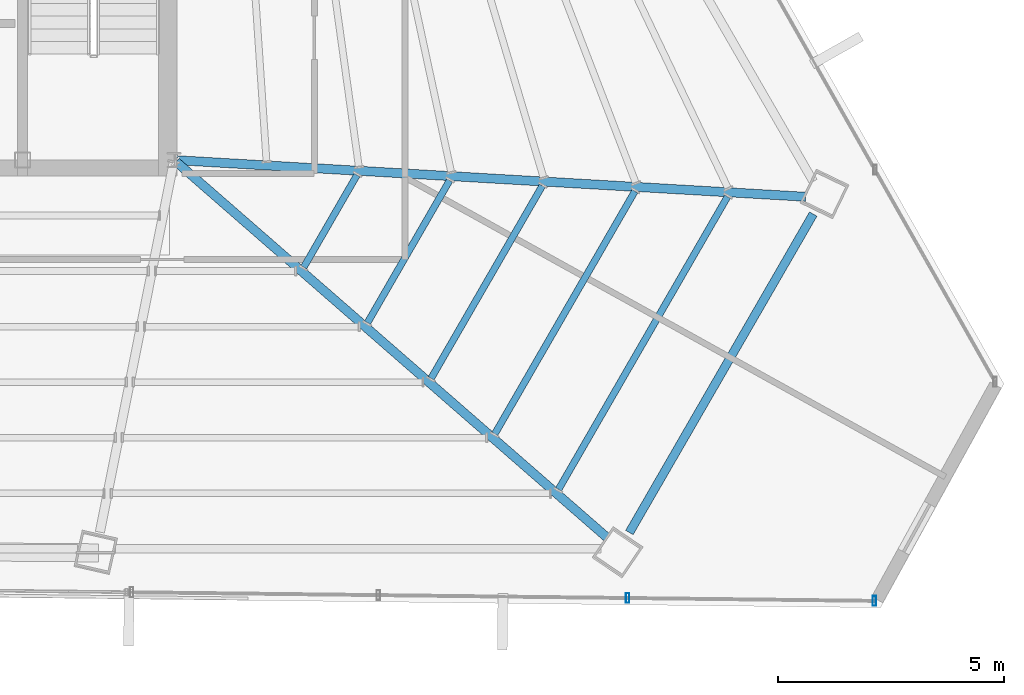
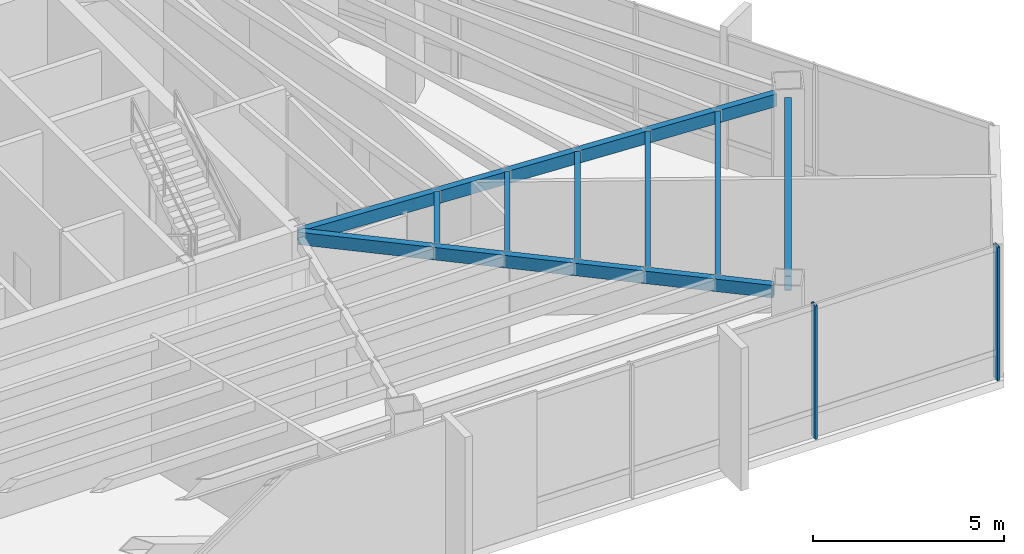
# One storey, part 18 of 37: 8 beams, 2 members, 1 element without a shape of its own.
"""IFC4 building model written with IfcOpenShell, lengths in metres."""

from ifc_helpers import new_model, si_unit, direction, frame, origin, origin_2d, place, context, subcontext, project, spatial, hollow_rectangle, i_section, extrude, source, transform, mapped, material, material_profile, profile_set, type_object, type_shapes, element, aggregate, save


model = new_model("IFC4")

# Units and contexts
model_context = context("Model", 3, precision=1e-05, world=origin(), true_north=direction((0.0, 1.0)))
body_context = subcontext(model_context, "Body", "Model", "MODEL_VIEW")
ifc_project = project(units=[si_unit("LENGTHUNIT", "METRE"), si_unit("AREAUNIT", "SQUARE_METRE"), si_unit("VOLUMEUNIT", "CUBIC_METRE"), si_unit("PLANEANGLEUNIT", "RADIAN"), si_unit("MASSUNIT", "GRAM", prefix="KILO")], contexts=[model_context])

# Site, building, storey
site_placement = place(None, origin())
site = spatial("IfcSite", under=ifc_project, at=site_placement, CompositionType="ELEMENT")
building_placement = place(site_placement, origin())
building = spatial("IfcBuilding", under=site, at=building_placement, Name="Caelisora Broadcast Tower", CompositionType="ELEMENT")
storey_placement = place(building_placement, frame((0.0, 0.0, 225.35009765625)))
storey = spatial("IfcBuildingStorey", under=building, at=storey_placement, Name="L59", CompositionType="ELEMENT", Elevation=225.35009765625)

# Beams
ifc_material_1 = material(Name="Steel Grade 350 (AS/NZS 3679.1)", Category="steel")
ifc_material_profile_1 = material_profile(ifc_material_1, i_section(OverallWidth=0.19091796875, OverallDepth=0.46044921875, WebThickness=0.010009765625, FlangeThickness=0.01611328125, at=origin_2d()), Name="Steel Grade 350 (AS/NZS 3679.1)")
ifc_profile_set_1 = profile_set([ifc_material_profile_1], Name="Steel Grade 350 (AS/NZS 3679.1)")
beam_type_1 = type_object("IfcBeamType", Name="PG06", PredefinedType="BEAM", material=ifc_profile_set_1)
shared_shape_1 = source(origin(), body_context, "Body", "SweptSolid", [
    extrude(i_section(OverallWidth=0.19091796875, OverallDepth=0.46044921875, WebThickness=0.010009765625, FlangeThickness=0.01611328125, at=origin_2d()), origin(), (0.0, 0.0, 1.0), 8.12841796875),
])
type_shapes(beam_type_1, [shared_shape_1])
beam_1_placement = place(storey_placement, frame((55.564208984375, 9.166259765625, 4.019775390625), z_axis=(0.499992844251, 0.866029535119, 0.0), x_axis=(-0.866029535119, 0.499992844251, 0.0)))
element("IfcBeam", 1, at=beam_1_placement, inside=storey, type_object=beam_type_1, Name="L59 beam PG06", PredefinedType="BEAM", context=body_context, shape_type="MappedRepresentation", body=[
    mapped(shared_shape_1, transform((0.0, 0.0, 0.0), scale=1.0)),
])
ifc_material_2 = material(Name="Steel Grade 350 (AS/NZS 1163 C350L0)", Category="steel")
ifc_material_profile_2 = material_profile(ifc_material_2, hollow_rectangle(XDim=0.199951171875, YDim=0.39990234375, WallThickness=0.012451171875, at=origin_2d()), Name="Steel Grade 350 (AS/NZS 1163 C350L0)")
ifc_profile_set_2 = profile_set([ifc_material_profile_2], Name="Steel Grade 350 (AS/NZS 1163 C350L0)")
beam_type_2 = type_object("IfcBeamType", Name="PG07", PredefinedType="BEAM", material=ifc_profile_set_2)
shared_shape_2 = source(origin(), body_context, "Body", "SweptSolid", [
    extrude(hollow_rectangle(XDim=0.199951171875, YDim=0.39990234375, WallThickness=0.012451171875, at=origin_2d()), origin(), (0.0, 0.0, 1.0), 13.9248046875),
])
beam_2_placement = place(storey_placement, frame((45.559814453125, 17.396484375, 4.0498046875), z_axis=(0.998312610216, -0.0580683415, 0.0), x_axis=(0.0580683415, 0.998312610216, 0.0)))
element("IfcBeam", 2, at=beam_2_placement, inside=storey, type_object=beam_type_2, Name="L59 beam PG07", PredefinedType="BEAM", context=body_context, shape_type="MappedRepresentation", body=[
    mapped(shared_shape_2, transform((0.0, 0.0, 0.0), scale=1.0)),
])
shared_shape_3 = source(origin(), body_context, "Body", "SweptSolid", [
    extrude(hollow_rectangle(XDim=0.199951171875, YDim=0.39990234375, WallThickness=0.012451171875, at=origin_2d()), origin(), (0.0, 0.0, 1.0), 12.64111328125),
])
type_shapes(beam_type_2, [shared_shape_2, shared_shape_3])
beam_3_placement = place(storey_placement, frame((45.545166015625, 17.360595703125, 4.0498046875), z_axis=(0.753721706413, -0.657193722796, 0.0), x_axis=(0.657193722796, 0.753721706413, 0.0)))
element("IfcBeam", 3, at=beam_3_placement, inside=storey, type_object=beam_type_2, Name="L59 beam PG07", PredefinedType="BEAM", context=body_context, shape_type="MappedRepresentation", body=[
    mapped(shared_shape_3, transform((0.0, 0.0, 0.0), scale=1.0)),
])
ifc_material_profile_3 = material_profile(ifc_material_2, hollow_rectangle(XDim=0.14990234375, YDim=0.300048828125, WallThickness=0.010009765625, at=origin_2d()), Name="Steel Grade 350 (AS/NZS 1163 C350L0)")
ifc_profile_set_3 = profile_set([ifc_material_profile_3], Name="Steel Grade 350 (AS/NZS 1163 C350L0)")
beam_type_3 = type_object("IfcBeamType", Name="SB05", PredefinedType="JOIST", material=ifc_profile_set_3)
shared_shape_4 = source(origin(), body_context, "Body", "SweptSolid", [
    extrude(hollow_rectangle(XDim=0.14990234375, YDim=0.300048828125, WallThickness=0.010009765625, at=origin_2d()), origin(), (0.0, 0.0, 1.0), 2.352294921875),
])
beam_4_placement = place(storey_placement, frame((48.365478515625, 15.0302734375, 4.099853515625), z_axis=(0.500045874762, 0.865998916358, 0.0), x_axis=(-0.865998916358, 0.500045874762, 0.0)))
element("IfcBeam", 4, at=beam_4_placement, inside=storey, type_object=beam_type_3, Name="L59 beam SB05", PredefinedType="JOIST", context=body_context, shape_type="MappedRepresentation", body=[
    mapped(shared_shape_4, transform((0.0, 0.0, 0.0), scale=1.0)),
])
shared_shape_5 = source(origin(), body_context, "Body", "SweptSolid", [
    extrude(hollow_rectangle(XDim=0.14990234375, YDim=0.300048828125, WallThickness=0.010009765625, at=origin_2d()), origin(), (0.0, 0.0, 1.0), 3.63232421875),
])
beam_5_placement = place(storey_placement, frame((49.773681640625, 13.802490234375, 4.099853515625), z_axis=(0.499992024311, 0.866030008502, 0.0), x_axis=(-0.866030008502, 0.499992024311, 0.0)))
element("IfcBeam", 5, at=beam_5_placement, inside=storey, type_object=beam_type_3, Name="L59 beam SB05", PredefinedType="JOIST", context=body_context, shape_type="MappedRepresentation", body=[
    mapped(shared_shape_5, transform((0.0, 0.0, 0.0), scale=1.0)),
])
shared_shape_6 = source(origin(), body_context, "Body", "SweptSolid", [
    extrude(hollow_rectangle(XDim=0.14990234375, YDim=0.300048828125, WallThickness=0.010009765625, at=origin_2d()), origin(), (0.0, 0.0, 1.0), 4.912353515625),
])
beam_6_placement = place(storey_placement, frame((51.181640625, 12.57470703125, 4.099853515625), z_axis=(0.499966237329, 0.866044895794, 0.0), x_axis=(-0.866044895794, 0.499966237329, 0.0)))
element("IfcBeam", 6, at=beam_6_placement, inside=storey, type_object=beam_type_3, Name="L59 beam SB05", PredefinedType="JOIST", context=body_context, shape_type="MappedRepresentation", body=[
    mapped(shared_shape_6, transform((0.0, 0.0, 0.0), scale=1.0)),
])
shared_shape_7 = source(origin(), body_context, "Body", "SweptSolid", [
    extrude(hollow_rectangle(XDim=0.14990234375, YDim=0.300048828125, WallThickness=0.010009765625, at=origin_2d()), origin(), (0.0, 0.0, 1.0), 6.1923828125),
])
beam_7_placement = place(storey_placement, frame((52.589599609375, 11.34716796875, 4.099853515625), z_axis=(0.499997752344, 0.866026701465, 0.0), x_axis=(-0.866026701465, 0.499997752344, 0.0)))
element("IfcBeam", 7, at=beam_7_placement, inside=storey, type_object=beam_type_3, Name="L59 beam SB05", PredefinedType="JOIST", context=body_context, shape_type="MappedRepresentation", body=[
    mapped(shared_shape_7, transform((0.0, 0.0, 0.0), scale=1.0)),
])
shared_shape_8 = source(origin(), body_context, "Body", "SweptSolid", [
    extrude(hollow_rectangle(XDim=0.14990234375, YDim=0.300048828125, WallThickness=0.010009765625, at=origin_2d()), origin(), (0.0, 0.0, 1.0), 7.472412109375),
])
type_shapes(beam_type_3, [shared_shape_4, shared_shape_5, shared_shape_6, shared_shape_7, shared_shape_8])
beam_8_placement = place(storey_placement, frame((53.997802734375, 10.119384765625, 4.099853515625), z_axis=(0.499979818719, 0.866037055139, 0.0), x_axis=(-0.866037055139, 0.499979818719, 0.0)))
element("IfcBeam", 8, at=beam_8_placement, inside=storey, type_object=beam_type_3, Name="L59 beam SB05", PredefinedType="JOIST", context=body_context, shape_type="MappedRepresentation", body=[
    mapped(shared_shape_8, transform((0.0, 0.0, 0.0), scale=1.0)),
])

# Curtain wall, members
ifc_material_3 = material(Name="Unitised Aluminium and Low-E Glass Curtain Wall", Category="glass")
curtain_wall_type = type_object("IfcCurtainWallType", Name="CW-SKY", PredefinedType="NOTDEFINED", material=ifc_material_3)
curtain_wall_placement = place(storey_placement, origin())
curtain_wall = element("IfcCurtainWall", 9, at=curtain_wall_placement, inside=storey, type_object=curtain_wall_type, Name="L59 curtain wall CW-SKY", PredefinedType="NOTDEFINED")
ifc_material_4 = material(Name="Aluminium 6063-T6 Anodised Terracotta Bronze", Category="aluminium")
ifc_material_profile_4 = material_profile(ifc_material_4, hollow_rectangle(XDim=0.074951171875, YDim=0.219970703125, WallThickness=0.00390625, at=origin_2d()), Name="Aluminium 6063-T6 Anodised Terracotta Bronze")
ifc_profile_set_4 = profile_set([ifc_material_profile_4], Name="Aluminium 6063-T6 Anodised Terracotta Bronze")
member_type = type_object("IfcMemberType", Name="CWM-01", PredefinedType="MULLION", material=ifc_profile_set_4)
shared_shape_9 = source(origin(), body_context, "Body", "SweptSolid", [
    extrude(hollow_rectangle(XDim=0.074951171875, YDim=0.219970703125, WallThickness=0.00390625, at=origin_2d()), origin(), (0.0, 0.0, 1.0), 4.25),
])
type_shapes(member_type, [shared_shape_9])
member_1_placement = place(storey_placement, frame((60.97900390625, 7.655517578125, 0.0), z_axis=(0.0, 0.0, 1.0), x_axis=(1.0, 0.0, 0.0)))
member_1 = element("IfcMember", 10, at=member_1_placement, type_object=member_type, Name="L59-CW-B05 mullion #0", PredefinedType="MULLION", context=body_context, shape_type="MappedRepresentation", body=[
    mapped(shared_shape_9, transform((0.0, 0.0, 0.0), scale=1.0)),
])
member_2_placement = place(storey_placement, frame((55.522705078125, 7.718994140625, 0.0), z_axis=(0.0, 0.0, 1.0), x_axis=(1.0, 0.0, 0.0)))
member_2 = element("IfcMember", 11, at=member_2_placement, type_object=member_type, Name="L59-CW-B05 mullion #1", PredefinedType="MULLION", context=body_context, shape_type="MappedRepresentation", body=[
    mapped(shared_shape_9, transform((0.0, 0.0, 0.0), scale=1.0)),
])
aggregate(curtain_wall, [member_1, member_2])

save(model, "model.ifc")
